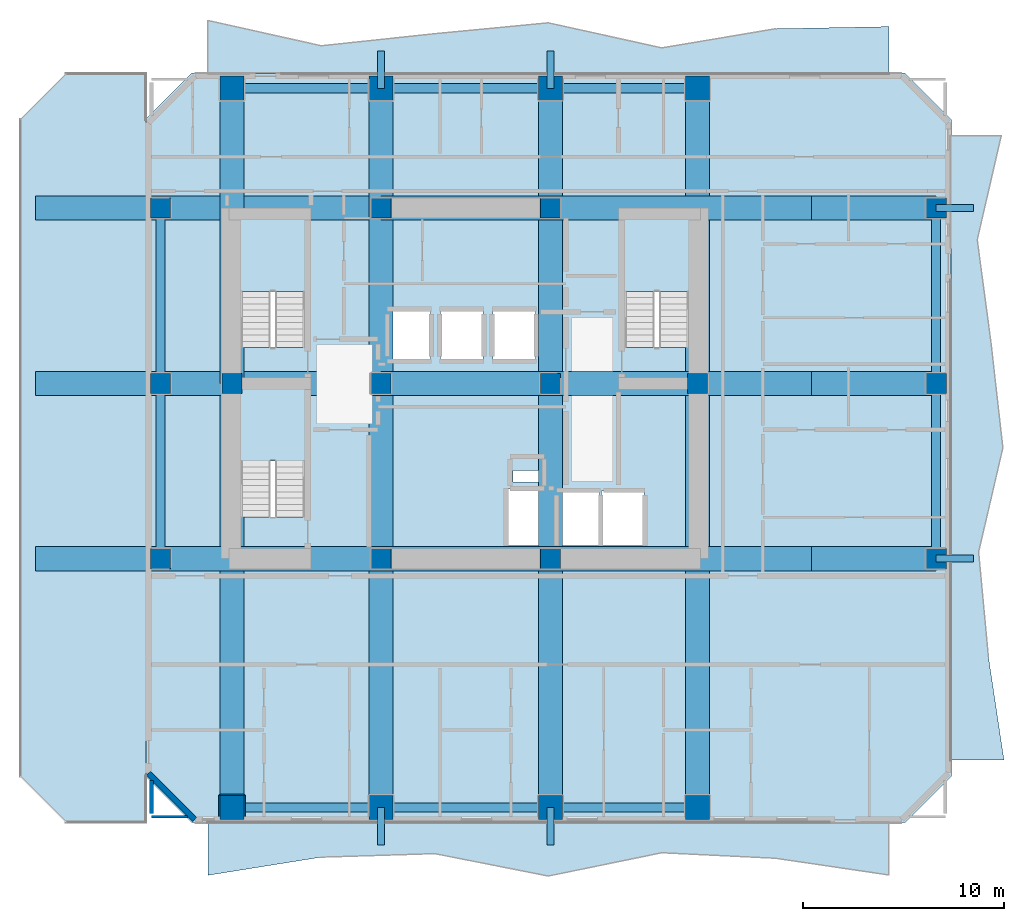
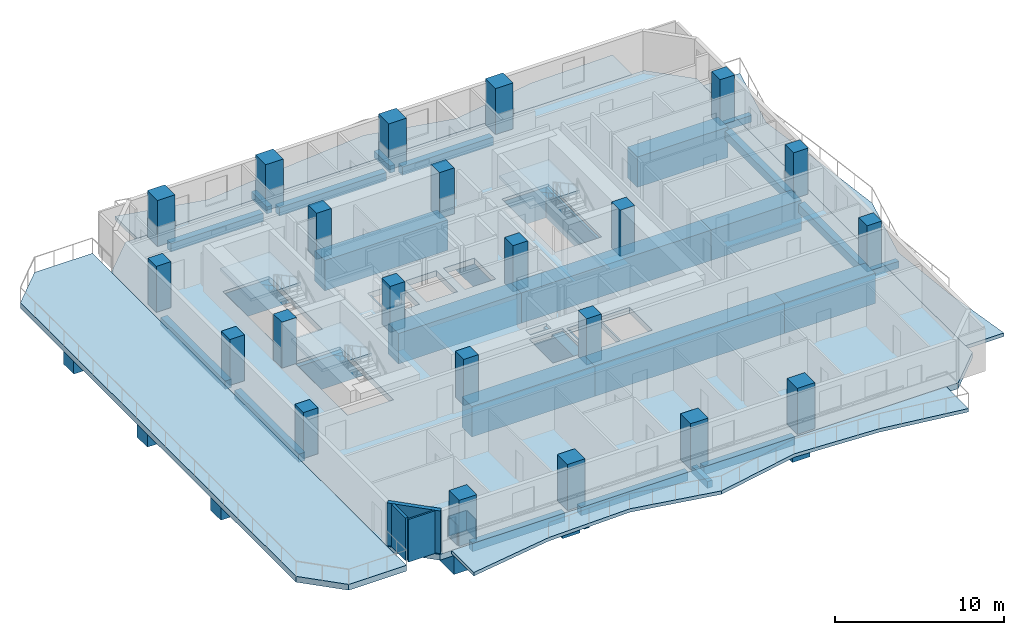
# One storey, part 1 of 10: 36 beams, 22 columns, 8 slabs, 6 walls, 3 elements without a shape of their own.
"""IFC4 building model written with IfcOpenShell, lengths in metres."""

from ifc_helpers import new_model, si_unit, direction, frame, frame_2d, origin, origin_2d, place, context, subcontext, project, spatial, polyline, rectangle, outline, extrude, material, layer, layer_set, material_profile, profile_set, type_object, element, aggregate, save


model = new_model("IFC4")

# Units and contexts
model_context = context("Model", 3, precision=1e-05, world=origin(), true_north=direction((0.0, 1.0)))
body_context = subcontext(model_context, "Body", "Model", "MODEL_VIEW")
ifc_project = project(units=[si_unit("LENGTHUNIT", "METRE"), si_unit("AREAUNIT", "SQUARE_METRE"), si_unit("VOLUMEUNIT", "CUBIC_METRE"), si_unit("PLANEANGLEUNIT", "RADIAN"), si_unit("MASSUNIT", "GRAM", prefix="KILO")], contexts=[model_context])

# Site, building, storey
site_placement = place(None, origin())
site = spatial("IfcSite", under=ifc_project, at=site_placement, CompositionType="ELEMENT")
building_placement = place(site_placement, origin())
building = spatial("IfcBuilding", under=site, at=building_placement, Name="Solanera Arch Residences", CompositionType="ELEMENT")
storey_placement = place(building_placement, frame((0.0, 0.0, 126.0)))
storey = spatial("IfcBuildingStorey", under=building, at=storey_placement, Name="L36", CompositionType="ELEMENT", Elevation=126.0)

# Columns
ifc_material_1 = material(Name="Concrete C55/67 (f'c = 60 MPa)", Category="concrete")
ifc_material_profile_1 = material_profile(ifc_material_1, rectangle(XDim=1.0, YDim=1.0, at=origin_2d()))
ifc_profile_set_1 = profile_set([ifc_material_profile_1], Name="Concrete C55/67 (f'c = 60 MPa)")
column_type_1 = type_object("IfcColumnType", Name="Structural Column RC-COL-1000X1000", PredefinedType="COLUMN", material=ifc_profile_set_1)
for number, where, z_axis, x_axis, name in (
    (1, (20.800048828125, 22.0, 0.0), (0.0, 0.0, 1.0), (1.0, 0.0, 0.0), "COL-L36-CB-SW"),
    (2, (29.199951171875, 22.0, 0.0), (0.0, 0.0, 1.0), (1.0, 0.0, 0.0), "COL-L36-CB-SE"),
    (3, (20.800048828125, 39.39990234375, 0.0), (0.0, 0.0, 1.0), (1.0, 0.0, 0.0), "COL-L36-CB-NW"),
    (4, (29.199951171875, 39.39990234375, 0.0), (0.0, 0.0, 1.0), (1.0, 0.0, 0.0), "COL-L36-CB-NE"),
    (5, (13.39990234375, 30.699951171875, 0.0), (0.0, 0.0, 1.0), (1.0, 0.0, 0.0), "COL-L36-CB-WW"),
    (6, (36.5, 30.699951171875, 0.0), (0.0, 0.0, 1.0), (1.0, 0.0, 0.0), "COL-L36-CB-EE"),
    (7, (20.800048828125, 30.699951171875, 0.0), (0.0, 0.0, 1.0), (1.0, 0.0, 0.0), "COL-L36-CORE-W"),
    (8, (29.199951171875, 30.699951171875, 0.0), (0.0, 0.0, 1.0), (1.0, 0.0, 0.0), "COL-L36-CORE-E"),
):
    element("IfcColumn", number, at=place(storey_placement, frame(where, z_axis=z_axis, x_axis=x_axis)), inside=storey, type_object=column_type_1, Name=name, PredefinedType="COLUMN", context=body_context, shape_type="SweptSolid", body=[
        extrude(rectangle(XDim=1.0, YDim=1.0, at=origin_2d()), origin(), (0.0, 0.0, 1.0), 3.320068359375),
    ])
for number, where, z_axis, x_axis, name in (
    (9, (9.85009765625, 22.0, -0.199951171875), (0.0, 0.0, 1.0), (1.0, 0.0, 0.0), "COL-L36-TWR-09"),
    (10, (48.35009765625, 22.0, -0.199951171875), (0.0, 0.0, 1.0), (1.0, 0.0, 0.0), "COL-L36-TWR-10"),
    (11, (9.85009765625, 30.699951171875, -0.199951171875), (0.0, 0.0, 1.0), (1.0, 0.0, 0.0), "COL-L36-TWR-11"),
    (12, (48.35009765625, 30.699951171875, -0.199951171875), (0.0, 0.0, 1.0), (1.0, 0.0, 0.0), "COL-L36-TWR-12"),
    (13, (9.85009765625, 39.39990234375, -0.199951171875), (0.0, 0.0, 1.0), (1.0, 0.0, 0.0), "COL-L36-TWR-13"),
    (14, (48.35009765625, 39.39990234375, -0.199951171875), (0.0, 0.0, 1.0), (1.0, 0.0, 0.0), "COL-L36-TWR-14"),
):
    element("IfcColumn", number, at=place(storey_placement, frame(where, z_axis=z_axis, x_axis=x_axis)), inside=storey, type_object=column_type_1, Name=name, PredefinedType="COLUMN", context=body_context, shape_type="SweptSolid", body=[
        extrude(rectangle(XDim=1.0, YDim=1.0, at=origin_2d()), origin(), (0.0, 0.0, 1.0), 3.52001953125),
    ])
ifc_material_2 = material(Name="Concrete C55/67 (f'c = 60 MPa)", Category="concrete")
ifc_material_profile_2 = material_profile(ifc_material_2, rectangle(XDim=1.199951171875, YDim=1.199951171875, at=origin_2d()))
ifc_profile_set_2 = profile_set([ifc_material_profile_2], Name="Concrete C55/67 (f'c = 60 MPa)")
column_type_2 = type_object("IfcColumnType", Name="Structural Column RC-COL-1200X1200", PredefinedType="COLUMN", material=ifc_profile_set_2)
for number, where, z_axis, x_axis, name in (
    (15, (13.39990234375, 9.64990234375, -0.199951171875), (0.0, 0.0, 1.0), (1.0, 0.0, 0.0), "COL-L36-TWR-01"),
    (16, (13.39990234375, 45.35009765625, -0.199951171875), (0.0, 0.0, 1.0), (1.0, 0.0, 0.0), "COL-L36-TWR-02"),
    (17, (20.800048828125, 9.64990234375, -0.199951171875), (0.0, 0.0, 1.0), (1.0, 0.0, 0.0), "COL-L36-TWR-03"),
    (18, (20.800048828125, 45.35009765625, -0.199951171875), (0.0, 0.0, 1.0), (1.0, 0.0, 0.0), "COL-L36-TWR-04"),
    (19, (29.199951171875, 9.64990234375, -0.199951171875), (0.0, 0.0, 1.0), (1.0, 0.0, 0.0), "COL-L36-TWR-05"),
    (20, (29.199951171875, 45.35009765625, -0.199951171875), (0.0, 0.0, 1.0), (1.0, 0.0, 0.0), "COL-L36-TWR-06"),
    (21, (36.5, 9.64990234375, -0.199951171875), (0.0, 0.0, 1.0), (1.0, 0.0, 0.0), "COL-L36-TWR-07"),
    (22, (36.5, 45.35009765625, -0.199951171875), (0.0, 0.0, 1.0), (1.0, 0.0, 0.0), "COL-L36-TWR-08"),
):
    element("IfcColumn", number, at=place(storey_placement, frame(where, z_axis=z_axis, x_axis=x_axis)), inside=storey, type_object=column_type_2, Name=name, PredefinedType="COLUMN", context=body_context, shape_type="SweptSolid", body=[
        extrude(rectangle(XDim=1.199951171875, YDim=1.199951171875, at=origin_2d()), origin(), (0.0, 0.0, 1.0), 3.52001953125),
    ])

# Beams
ifc_material_3 = material(Name="Concrete C40/50 (f'c = 45 MPa)", Category="concrete")
ifc_material_profile_3 = material_profile(ifc_material_3, rectangle(XDim=0.35009765625, YDim=0.5, at=origin_2d()))
ifc_profile_set_3 = profile_set([ifc_material_profile_3], Name="Concrete C40/50 (f'c = 45 MPa)")
beam_type_1 = type_object("IfcBeamType", Name="BM-BALC-RIB", PredefinedType="BEAM", material=ifc_profile_set_3)
for number, where, z_axis, x_axis, name in (
    (23, (20.800048828125, 7.800048828125, -0.5), (0.0, 1.0, 0.0), (-1.0, 0.0, 0.0), "BM-L36-BRIB-S1"),
    (24, (29.199951171875, 7.800048828125, -0.5), (0.0, 1.0, 0.0), (-1.0, 0.0, 0.0), "BM-L36-BRIB-S2"),
    (25, (20.800048828125, 45.35009765625, -0.5), (0.0, 1.0, 0.0), (-1.0, 0.0, 0.0), "BM-L36-BRIB-N1"),
    (26, (29.199951171875, 45.35009765625, -0.5), (0.0, 1.0, 0.0), (-1.0, 0.0, 0.0), "BM-L36-BRIB-N2"),
    (27, (48.35009765625, 22.0, -0.5), (1.0, 0.0, 0.0), (0.0, 1.0, 0.0), "BM-L36-BRIB-E1"),
    (28, (48.35009765625, 39.39990234375, -0.5), (1.0, 0.0, 0.0), (0.0, 1.0, 0.0), "BM-L36-BRIB-E2"),
):
    element("IfcBeam", number, at=place(storey_placement, frame(where, z_axis=z_axis, x_axis=x_axis)), inside=storey, type_object=beam_type_1, Name=name, PredefinedType="BEAM", context=body_context, shape_type="SweptSolid", body=[
        extrude(rectangle(XDim=0.35009765625, YDim=0.5, at=origin_2d()), origin(), (0.0, 0.0, 1.0), 1.849853515625),
    ])
ifc_material_4 = material(Name="Concrete C55/67 (f'c = 60 MPa)", Category="concrete")
ifc_material_profile_4 = material_profile(ifc_material_4, rectangle(XDim=1.199951171875, YDim=2.199951171875, at=origin_2d()))
ifc_profile_set_4 = profile_set([ifc_material_profile_4], Name="Concrete C55/67 (f'c = 60 MPa)")
beam_type_2 = type_object("IfcBeamType", Name="BM-CANT-BLOCK", PredefinedType="BEAM", material=ifc_profile_set_4)
for number, where, z_axis, x_axis, name in (
    (29, (42.14990234375, 22.0, -1.300048828125), (1.0, 0.0, 0.0), (0.0, 1.0, 0.0), "BM-L36-CANT-EW-E-220"),
    (30, (42.14990234375, 30.699951171875, -1.300048828125), (1.0, 0.0, 0.0), (0.0, 1.0, 0.0), "BM-L36-CANT-EW-E-307"),
    (31, (42.14990234375, 39.39990234375, -1.300048828125), (1.0, 0.0, 0.0), (0.0, 1.0, 0.0), "BM-L36-CANT-EW-E-394"),
):
    element("IfcBeam", number, at=place(storey_placement, frame(where, z_axis=z_axis, x_axis=x_axis)), inside=storey, type_object=beam_type_2, Name=name, PredefinedType="BEAM", context=body_context, shape_type="SweptSolid", body=[
        extrude(rectangle(XDim=1.199951171875, YDim=2.199951171875, at=origin_2d()), origin(), (0.0, 0.0, 1.0), 6.2001953125),
    ])
ifc_material_5 = material(Name="Concrete C40/50 (f'c = 45 MPa)", Category="concrete")
ifc_material_profile_5 = material_profile(ifc_material_5, rectangle(XDim=0.449951171875, YDim=0.60009765625, at=origin_2d()))
ifc_profile_set_5 = profile_set([ifc_material_profile_5], Name="Concrete C40/50 (f'c = 45 MPa)")
beam_type_3 = type_object("IfcBeamType", Name="Spandrel Beam RC-BM-450X600", PredefinedType="SPANDREL", material=ifc_profile_set_5)
for number, where, z_axis, x_axis, name in (
    (32, (13.93994140625, 9.64990234375, -0.719970703125), (1.0, 0.0, 0.0), (0.0, 1.0, 0.0), "BM-L36-XRING-S-1"),
    (33, (13.93994140625, 45.35009765625, -0.719970703125), (1.0, 0.0, 0.0), (0.0, 1.0, 0.0), "BM-L36-XRING-N-1"),
):
    element("IfcBeam", number, at=place(storey_placement, frame(where, z_axis=z_axis, x_axis=x_axis)), inside=storey, type_object=beam_type_3, Name=name, PredefinedType="SPANDREL", context=body_context, shape_type="SweptSolid", body=[
        extrude(rectangle(XDim=0.449951171875, YDim=0.60009765625, at=origin_2d()), origin(), (0.0, 0.0, 1.0), 6.320068359375),
    ])
for number, where, z_axis, x_axis, name in (
    (34, (21.340087890625, 9.64990234375, -0.719970703125), (1.0, 0.0, 0.0), (0.0, 1.0, 0.0), "BM-L36-XRING-S-2"),
    (35, (21.340087890625, 45.35009765625, -0.719970703125), (1.0, 0.0, 0.0), (0.0, 1.0, 0.0), "BM-L36-XRING-N-2"),
):
    element("IfcBeam", number, at=place(storey_placement, frame(where, z_axis=z_axis, x_axis=x_axis)), inside=storey, type_object=beam_type_3, Name=name, PredefinedType="SPANDREL", context=body_context, shape_type="SweptSolid", body=[
        extrude(rectangle(XDim=0.449951171875, YDim=0.60009765625, at=origin_2d()), origin(), (0.0, 0.0, 1.0), 7.31982421875),
    ])
for number, where, z_axis, x_axis, name in (
    (36, (29.739990234375, 9.64990234375, -0.719970703125), (1.0, 0.0, 0.0), (0.0, 1.0, 0.0), "BM-L36-XRING-S-3"),
    (37, (29.739990234375, 45.35009765625, -0.719970703125), (1.0, 0.0, 0.0), (0.0, 1.0, 0.0), "BM-L36-XRING-N-3"),
):
    element("IfcBeam", number, at=place(storey_placement, frame(where, z_axis=z_axis, x_axis=x_axis)), inside=storey, type_object=beam_type_3, Name=name, PredefinedType="SPANDREL", context=body_context, shape_type="SweptSolid", body=[
        extrude(rectangle(XDim=0.449951171875, YDim=0.60009765625, at=origin_2d()), origin(), (0.0, 0.0, 1.0), 6.219970703125),
    ])
for number, where, z_axis, x_axis, name in (
    (38, (9.85009765625, 22.5400390625, -0.719970703125), (0.0, 1.0, 0.0), (-1.0, 0.0, 0.0), "BM-L36-XRING-W-1"),
    (39, (48.35009765625, 22.5400390625, -0.719970703125), (0.0, 1.0, 0.0), (-1.0, 0.0, 0.0), "BM-L36-XRING-E-1"),
):
    element("IfcBeam", number, at=place(storey_placement, frame(where, z_axis=z_axis, x_axis=x_axis)), inside=storey, type_object=beam_type_3, Name=name, PredefinedType="SPANDREL", context=body_context, shape_type="SweptSolid", body=[
        extrude(rectangle(XDim=0.449951171875, YDim=0.60009765625, at=origin_2d()), origin(), (0.0, 0.0, 1.0), 7.619873046875),
    ])
for number, where, z_axis, x_axis, name in (
    (40, (9.85009765625, 31.239990234375, -0.719970703125), (0.0, 1.0, 0.0), (-1.0, 0.0, 0.0), "BM-L36-XRING-W-2"),
    (41, (48.35009765625, 31.239990234375, -0.719970703125), (0.0, 1.0, 0.0), (-1.0, 0.0, 0.0), "BM-L36-XRING-E-2"),
):
    element("IfcBeam", number, at=place(storey_placement, frame(where, z_axis=z_axis, x_axis=x_axis)), inside=storey, type_object=beam_type_3, Name=name, PredefinedType="SPANDREL", context=body_context, shape_type="SweptSolid", body=[
        extrude(rectangle(XDim=0.449951171875, YDim=0.60009765625, at=origin_2d()), origin(), (0.0, 0.0, 1.0), 7.6201171875),
    ])
ifc_material_6 = material(Name="Concrete C55/67 (f'c = 60 MPa)", Category="concrete")
ifc_material_profile_6 = material_profile(ifc_material_6, rectangle(XDim=1.199951171875, YDim=2.199951171875, at=origin_2d()))
ifc_profile_set_6 = profile_set([ifc_material_profile_6], Name="Concrete C55/67 (f'c = 60 MPa)")
beam_type_4 = type_object("IfcBeamType", Name="Transfer Girder RC-BM-1200X2200", PredefinedType="BEAM", material=ifc_profile_set_6)
beam_1_placement = place(storey_placement, frame((13.39990234375, 9.64990234375, -1.300048828125), z_axis=(0.0, 1.0, 0.0), x_axis=(-1.0, 0.0, 0.0)))
element("IfcBeam", 42, at=beam_1_placement, inside=storey, type_object=beam_type_4, Name="BM-L36-XFER-NS-S-134", PredefinedType="BEAM", context=body_context, shape_type="SweptSolid", body=[
    extrude(rectangle(XDim=1.199951171875, YDim=2.199951171875, at=origin_2d()), origin(), (0.0, 0.0, 1.0), 21.050048828125),
])
beam_2_placement = place(storey_placement, frame((13.39990234375, 30.699951171875, -1.300048828125), z_axis=(0.0, 1.0, 0.0), x_axis=(-1.0, 0.0, 0.0)))
element("IfcBeam", 43, at=beam_2_placement, inside=storey, type_object=beam_type_4, Name="BM-L36-XFER-NS-N-134", PredefinedType="BEAM", context=body_context, shape_type="SweptSolid", body=[
    extrude(rectangle(XDim=1.199951171875, YDim=2.199951171875, at=origin_2d()), origin(), (0.0, 0.0, 1.0), 14.650146484375),
])
beam_3_placement = place(storey_placement, frame((20.800048828125, 9.64990234375, -1.300048828125), z_axis=(0.0, 1.0, 0.0), x_axis=(-1.0, 0.0, 0.0)))
element("IfcBeam", 44, at=beam_3_placement, inside=storey, type_object=beam_type_4, Name="BM-L36-XFER-NS-S-208", PredefinedType="BEAM", context=body_context, shape_type="SweptSolid", body=[
    extrude(rectangle(XDim=1.199951171875, YDim=2.199951171875, at=origin_2d()), origin(), (0.0, 0.0, 1.0), 21.050048828125),
])
beam_4_placement = place(storey_placement, frame((20.800048828125, 30.699951171875, -1.300048828125), z_axis=(0.0, 1.0, 0.0), x_axis=(-1.0, 0.0, 0.0)))
element("IfcBeam", 45, at=beam_4_placement, inside=storey, type_object=beam_type_4, Name="BM-L36-XFER-NS-N-208", PredefinedType="BEAM", context=body_context, shape_type="SweptSolid", body=[
    extrude(rectangle(XDim=1.199951171875, YDim=2.199951171875, at=origin_2d()), origin(), (0.0, 0.0, 1.0), 14.650146484375),
])
beam_5_placement = place(storey_placement, frame((29.199951171875, 9.64990234375, -1.300048828125), z_axis=(0.0, 1.0, 0.0), x_axis=(-1.0, 0.0, 0.0)))
element("IfcBeam", 46, at=beam_5_placement, inside=storey, type_object=beam_type_4, Name="BM-L36-XFER-NS-S-292", PredefinedType="BEAM", context=body_context, shape_type="SweptSolid", body=[
    extrude(rectangle(XDim=1.199951171875, YDim=2.199951171875, at=origin_2d()), origin(), (0.0, 0.0, 1.0), 21.050048828125),
])
beam_6_placement = place(storey_placement, frame((29.199951171875, 30.699951171875, -1.300048828125), z_axis=(0.0, 1.0, 0.0), x_axis=(-1.0, 0.0, 0.0)))
element("IfcBeam", 47, at=beam_6_placement, inside=storey, type_object=beam_type_4, Name="BM-L36-XFER-NS-N-292", PredefinedType="BEAM", context=body_context, shape_type="SweptSolid", body=[
    extrude(rectangle(XDim=1.199951171875, YDim=2.199951171875, at=origin_2d()), origin(), (0.0, 0.0, 1.0), 14.650146484375),
])
beam_7_placement = place(storey_placement, frame((36.5, 9.64990234375, -1.300048828125), z_axis=(0.0, 1.0, 0.0), x_axis=(-1.0, 0.0, 0.0)))
element("IfcBeam", 48, at=beam_7_placement, inside=storey, type_object=beam_type_4, Name="BM-L36-XFER-NS-S-365", PredefinedType="BEAM", context=body_context, shape_type="SweptSolid", body=[
    extrude(rectangle(XDim=1.199951171875, YDim=2.199951171875, at=origin_2d()), origin(), (0.0, 0.0, 1.0), 21.050048828125),
])
beam_8_placement = place(storey_placement, frame((36.5, 30.699951171875, -1.300048828125), z_axis=(0.0, 1.0, 0.0), x_axis=(-1.0, 0.0, 0.0)))
element("IfcBeam", 49, at=beam_8_placement, inside=storey, type_object=beam_type_4, Name="BM-L36-XFER-NS-N-365", PredefinedType="BEAM", context=body_context, shape_type="SweptSolid", body=[
    extrude(rectangle(XDim=1.199951171875, YDim=2.199951171875, at=origin_2d()), origin(), (0.0, 0.0, 1.0), 14.650146484375),
])
beam_9_placement = place(storey_placement, frame((3.64990234375, 22.0, -1.300048828125), z_axis=(1.0, 0.0, 0.0), x_axis=(0.0, 1.0, 0.0)))
element("IfcBeam", 50, at=beam_9_placement, inside=storey, type_object=beam_type_4, Name="BM-L36-XFER-EW-W-220", PredefinedType="BEAM", context=body_context, shape_type="SweptSolid", body=[
    extrude(rectangle(XDim=1.199951171875, YDim=2.199951171875, at=origin_2d()), origin(), (0.0, 0.0, 1.0), 17.150146484375),
])
beam_10_placement = place(storey_placement, frame((20.800048828125, 22.0, -1.300048828125), z_axis=(1.0, 0.0, 0.0), x_axis=(0.0, 1.0, 0.0)))
element("IfcBeam", 51, at=beam_10_placement, inside=storey, type_object=beam_type_4, Name="BM-L36-XFER-EW-C-220", PredefinedType="BEAM", context=body_context, shape_type="SweptSolid", body=[
    extrude(rectangle(XDim=1.199951171875, YDim=2.199951171875, at=origin_2d()), origin(), (0.0, 0.0, 1.0), 8.39990234375),
])
beam_11_placement = place(storey_placement, frame((29.199951171875, 22.0, -1.300048828125), z_axis=(1.0, 0.0, 0.0), x_axis=(0.0, 1.0, 0.0)))
element("IfcBeam", 52, at=beam_11_placement, inside=storey, type_object=beam_type_4, Name="BM-L36-XFER-EW-E-220", PredefinedType="BEAM", context=body_context, shape_type="SweptSolid", body=[
    extrude(rectangle(XDim=1.199951171875, YDim=2.199951171875, at=origin_2d()), origin(), (0.0, 0.0, 1.0), 12.949951171875),
])
beam_12_placement = place(storey_placement, frame((3.64990234375, 30.699951171875, -1.300048828125), z_axis=(1.0, 0.0, 0.0), x_axis=(0.0, 1.0, 0.0)))
element("IfcBeam", 53, at=beam_12_placement, inside=storey, type_object=beam_type_4, Name="BM-L36-XFER-EW-W-307", PredefinedType="BEAM", context=body_context, shape_type="SweptSolid", body=[
    extrude(rectangle(XDim=1.199951171875, YDim=2.199951171875, at=origin_2d()), origin(), (0.0, 0.0, 1.0), 17.150146484375),
])
beam_13_placement = place(storey_placement, frame((20.800048828125, 30.699951171875, -1.300048828125), z_axis=(1.0, 0.0, 0.0), x_axis=(0.0, 1.0, 0.0)))
element("IfcBeam", 54, at=beam_13_placement, inside=storey, type_object=beam_type_4, Name="BM-L36-XFER-EW-C-307", PredefinedType="BEAM", context=body_context, shape_type="SweptSolid", body=[
    extrude(rectangle(XDim=1.199951171875, YDim=2.199951171875, at=origin_2d()), origin(), (0.0, 0.0, 1.0), 8.39990234375),
])
beam_14_placement = place(storey_placement, frame((29.199951171875, 30.699951171875, -1.300048828125), z_axis=(1.0, 0.0, 0.0), x_axis=(0.0, 1.0, 0.0)))
element("IfcBeam", 55, at=beam_14_placement, inside=storey, type_object=beam_type_4, Name="BM-L36-XFER-EW-E-307", PredefinedType="BEAM", context=body_context, shape_type="SweptSolid", body=[
    extrude(rectangle(XDim=1.199951171875, YDim=2.199951171875, at=origin_2d()), origin(), (0.0, 0.0, 1.0), 12.949951171875),
])
beam_15_placement = place(storey_placement, frame((3.64990234375, 39.39990234375, -1.300048828125), z_axis=(1.0, 0.0, 0.0), x_axis=(0.0, 1.0, 0.0)))
element("IfcBeam", 56, at=beam_15_placement, inside=storey, type_object=beam_type_4, Name="BM-L36-XFER-EW-W-394", PredefinedType="BEAM", context=body_context, shape_type="SweptSolid", body=[
    extrude(rectangle(XDim=1.199951171875, YDim=2.199951171875, at=origin_2d()), origin(), (0.0, 0.0, 1.0), 17.150146484375),
])
beam_16_placement = place(storey_placement, frame((20.800048828125, 39.39990234375, -1.300048828125), z_axis=(1.0, 0.0, 0.0), x_axis=(0.0, 1.0, 0.0)))
element("IfcBeam", 57, at=beam_16_placement, inside=storey, type_object=beam_type_4, Name="BM-L36-XFER-EW-C-394", PredefinedType="BEAM", context=body_context, shape_type="SweptSolid", body=[
    extrude(rectangle(XDim=1.199951171875, YDim=2.199951171875, at=origin_2d()), origin(), (0.0, 0.0, 1.0), 8.39990234375),
])
beam_17_placement = place(storey_placement, frame((29.199951171875, 39.39990234375, -1.300048828125), z_axis=(1.0, 0.0, 0.0), x_axis=(0.0, 1.0, 0.0)))
element("IfcBeam", 58, at=beam_17_placement, inside=storey, type_object=beam_type_4, Name="BM-L36-XFER-EW-E-394", PredefinedType="BEAM", context=body_context, shape_type="SweptSolid", body=[
    extrude(rectangle(XDim=1.199951171875, YDim=2.199951171875, at=origin_2d()), origin(), (0.0, 0.0, 1.0), 12.949951171875),
])

# Slabs
ifc_material_7 = material(Name="Concrete C40/50 (f'c = 45 MPa)", Category="concrete")
ifc_layer_1 = layer(ifc_material_7, 0.25)
ifc_layer_set_1 = layer_set([ifc_layer_1], Name="Concrete C40/50 (f'c = 45 MPa)")
slab_type_1 = type_object("IfcSlabType", Name="Balcony Slab 250", PredefinedType="FLOOR", material=ifc_layer_set_1)
slab_1_placement = place(storey_placement, frame((0.0, 0.0, -0.25)))
element("IfcSlab", 59, at=slab_1_placement, inside=storey, type_object=slab_type_1, Name="L36 S Rippling Brise-Soleil Balcony Slab", PredefinedType="FLOOR", context=body_context, shape_type="SweptSolid", body=[
    extrude(outline(polyline([(12.199951171875, 6.284912109375), (17.8330078125, 7.18798828125), (23.467041015625, 7.362060546875), (29.10009765625, 6.2509765625), (34.73291015625, 7.406982421875), (40.366943359375, 7.135009765625), (46.0, 6.303955078125), (46.0, 8.919921875), (12.199951171875, 8.919921875), (12.199951171875, 6.284912109375)])), origin(), (0.0, 0.0, 1.0), 0.25),
])
slab_2_placement = place(storey_placement, frame((0.0, 0.0, -0.25)))
element("IfcSlab", 60, at=slab_2_placement, inside=storey, type_object=slab_type_1, Name="L36 N Rippling Brise-Soleil Balcony Slab", PredefinedType="FLOOR", context=body_context, shape_type="SweptSolid", body=[
    extrude(outline(polyline([(46.0, 48.410888671875), (40.366943359375, 48.302978515625), (34.73291015625, 47.35400390625), (29.10009765625, 48.597900390625), (23.467041015625, 48.05908203125), (17.8330078125, 47.4599609375), (12.199951171875, 48.715087890625), (12.199951171875, 46.080078125), (46.0, 46.080078125), (46.0, 48.410888671875)])), origin(), (0.0, 0.0, 1.0), 0.25),
])
slab_3_placement = place(storey_placement, frame((0.0, 0.0, -0.25)))
element("IfcSlab", 61, at=slab_3_placement, inside=storey, type_object=slab_type_1, Name="L36 E Rippling Brise-Soleil Balcony Slab", PredefinedType="FLOOR", context=body_context, shape_type="SweptSolid", body=[
    extrude(outline(polyline([(51.715087890625, 12.0), (50.93798828125, 17.1669921875), (50.455078125, 22.3330078125), (51.658935546875, 27.5), (51.076904296875, 32.6669921875), (50.387939453125, 37.8330078125), (51.580078125, 43.0), (49.080078125, 43.0), (49.080078125, 12.0), (51.715087890625, 12.0)])), origin(), (0.0, 0.0, 1.0), 0.25),
])

# Stair, slab
ifc_material_8 = material(Name="Concrete C40/50 (f'c = 45 MPa)", Category="concrete")
stair_type = type_object("IfcStairType", Name="Tower Dogleg Exit Stair 1480", PredefinedType="HALF_TURN_STAIR", material=ifc_material_8)
stair_1_placement = place(storey_placement, origin())
stair_1 = element("IfcStair", 62, at=stair_1_placement, inside=storey, type_object=stair_type, Name="L36 Tower Core Exit Stair 1", PredefinedType="HALF_TURN_STAIR")
ifc_material_9 = material(Name="Concrete C40/50 (f'c = 45 MPa)", Category="concrete")
ifc_layer_2 = layer(ifc_material_9, 0.199951171875)
ifc_layer_set_2 = layer_set([ifc_layer_2], Name="Concrete C40/50 (f'c = 45 MPa)")
slab_type_2 = type_object("IfcSlabType", Name="Stair Half-Landing Slab 200", PredefinedType="LANDING", material=ifc_layer_set_2)
slab_4_placement = place(storey_placement, frame((0.0, 0.0, 1.4599609375)))
slab_4 = element("IfcSlab", 63, at=slab_4_placement, type_object=slab_type_2, Name="ST-T1 landing 1", PredefinedType="LANDING", context=body_context, shape_type="SweptSolid", body=[
    extrude(outline(polyline([(17.1201171875, 35.260009765625), (17.1201171875, 38.919921875), (13.719970703125, 38.919921875), (13.719970703125, 35.260009765625), (17.1201171875, 35.260009765625)])), origin(), (0.0, 0.0, 1.0), 0.199951171875),
])
aggregate(stair_1, [slab_4])

stair_2_placement = place(storey_placement, origin())
stair_2 = element("IfcStair", 64, at=stair_2_placement, inside=storey, type_object=stair_type, Name="L36 Tower Core Exit Stair 2", PredefinedType="HALF_TURN_STAIR")
slab_5_placement = place(storey_placement, frame((0.0, 0.0, 1.4599609375)))
slab_5 = element("IfcSlab", 65, at=slab_5_placement, type_object=slab_type_2, Name="ST-T2 landing 1", PredefinedType="LANDING", context=body_context, shape_type="SweptSolid", body=[
    extrude(outline(polyline([(36.179931640625, 35.260009765625), (36.179931640625, 38.919921875), (32.780029296875, 38.919921875), (32.780029296875, 35.260009765625), (36.179931640625, 35.260009765625)])), origin(), (0.0, 0.0, 1.0), 0.199951171875),
])
aggregate(stair_2, [slab_5])

stair_3_placement = place(storey_placement, origin())
stair_3 = element("IfcStair", 66, at=stair_3_placement, inside=storey, type_object=stair_type, Name="L36 Tower Core Exit Stair 3", PredefinedType="HALF_TURN_STAIR")
slab_6_placement = place(storey_placement, frame((0.0, 0.0, 1.4599609375)))
slab_6 = element("IfcSlab", 67, at=slab_6_placement, type_object=slab_type_2, Name="ST-T3 landing 1", PredefinedType="LANDING", context=body_context, shape_type="SweptSolid", body=[
    extrude(outline(polyline([(17.1201171875, 26.860107421875), (17.1201171875, 30.52001953125), (13.719970703125, 30.52001953125), (13.719970703125, 26.860107421875), (17.1201171875, 26.860107421875)])), origin(), (0.0, 0.0, 1.0), 0.199951171875),
])
aggregate(stair_3, [slab_6])

# Slabs
ifc_material_10 = material(Name="Concrete C40/50 (f'c = 45 MPa)", Category="concrete")
ifc_layer_3 = layer(ifc_material_10, 0.419921875)
ifc_layer_set_3 = layer_set([ifc_layer_3], Name="Concrete C40/50 (f'c = 45 MPa)")
slab_type_3 = type_object("IfcSlabType", Name="Suspended Floor Slab Post-Tensioned 420", PredefinedType="FLOOR", material=ifc_layer_set_3)
slab_7_placement = place(storey_placement, frame((0.0, 0.0, -0.419921875)))
element("IfcSlab", 68, at=slab_7_placement, inside=storey, type_object=slab_type_3, Name="L36 Tower Post-Tensioned Floor Slab", PredefinedType="FLOOR", context=body_context, shape_type="SweptSolid", body=[
    extrude(outline(polyline([(11.39990234375, 8.89990234375), (46.800048828125, 8.89990234375), (49.10009765625, 11.199951171875), (49.10009765625, 43.800048828125), (46.800048828125, 46.10009765625), (11.39990234375, 46.10009765625), (9.10009765625, 43.800048828125), (9.10009765625, 11.199951171875), (11.39990234375, 8.89990234375)]), holes=[polyline([(13.840087890625, 32.48291015625), (13.840087890625, 38.800048828125), (17.0, 38.800048828125), (17.0, 32.48291015625), (13.840087890625, 32.48291015625)]), polyline([(32.89990234375, 32.48291015625), (32.89990234375, 38.800048828125), (36.06005859375, 38.800048828125), (36.06005859375, 32.48291015625), (32.89990234375, 32.48291015625)]), polyline([(13.840087890625, 24.0830078125), (13.840087890625, 30.39990234375), (17.0, 30.39990234375), (17.0, 24.0830078125), (13.840087890625, 24.0830078125)]), polyline([(21.14990234375, 34.35009765625), (23.25, 34.35009765625), (23.25, 31.85009765625), (21.14990234375, 31.85009765625), (21.14990234375, 34.35009765625)]), polyline([(23.75, 34.35009765625), (25.85009765625, 34.35009765625), (25.85009765625, 31.85009765625), (23.75, 31.85009765625), (23.75, 34.35009765625)]), polyline([(26.35009765625, 34.35009765625), (28.449951171875, 34.35009765625), (28.449951171875, 31.85009765625), (26.35009765625, 31.85009765625), (26.35009765625, 34.35009765625)]), polyline([(29.550048828125, 25.35009765625), (31.64990234375, 25.35009765625), (31.64990234375, 22.64990234375), (29.550048828125, 22.64990234375), (29.550048828125, 25.35009765625)]), polyline([(31.75, 25.35009765625), (33.85009765625, 25.35009765625), (33.85009765625, 22.64990234375), (31.75, 22.64990234375), (31.75, 25.35009765625)]), polyline([(27.050048828125, 25.449951171875), (29.35009765625, 25.449951171875), (29.35009765625, 22.64990234375), (27.050048828125, 22.64990234375), (27.050048828125, 25.449951171875)]), polyline([(27.340087890625, 26.3798828125), (28.760009765625, 26.3798828125), (28.760009765625, 25.820068359375), (27.340087890625, 25.820068359375), (27.340087890625, 26.3798828125)])]), origin(), (0.0, 0.0, 1.0), 0.419921875),
])
ifc_material_11 = material(Name="Concrete C40/50 (f'c = 45 MPa)", Category="concrete")
ifc_layer_4 = layer(ifc_material_11, 0.419921875)
ifc_layer_set_4 = layer_set([ifc_layer_4], Name="Concrete C40/50 (f'c = 45 MPa)")
slab_type_4 = type_object("IfcSlabType", Name="Terrace Slab 420", PredefinedType="FLOOR", material=ifc_layer_set_4)
slab_8_placement = place(storey_placement, frame((0.0, 0.0, -0.419921875)))
element("IfcSlab", 69, at=slab_8_placement, inside=storey, type_object=slab_type_4, Name="L36 Planted Sky Terrace Slab 1", PredefinedType="FLOOR", context=body_context, shape_type="SweptSolid", body=[
    extrude(outline(polyline([(5.179931640625, 8.919921875), (9.1201171875, 8.919921875), (9.1201171875, 11.2080078125), (9.1201171875, 43.7919921875), (9.1201171875, 46.080078125), (5.179931640625, 46.080078125), (2.89990234375, 43.800048828125), (2.89990234375, 11.199951171875), (5.179931640625, 8.919921875)])), origin(), (0.0, 0.0, 1.0), 0.419921875),
])

# Walls
ifc_material_12 = material(Name="Fire-Rated Gypsum Stud Partition", Category="gypsum")
ifc_layer_5 = layer(ifc_material_12, 0.06005859375)
ifc_layer_set_5 = layer_set([ifc_layer_5], Name="Fire-Rated Gypsum Stud Partition")
wall_type_1 = type_object("IfcWallType", Name="Column Acoustic Furring Wall 60", PredefinedType="PARTITIONING", material=ifc_layer_set_5)
wall_1_placement = place(storey_placement, frame((12.800048828125, 10.281982421875, 0.0), z_axis=(0.0, 0.0, 1.0), x_axis=(1.0, 0.0, 0.0)))
element("IfcWall", 70, at=wall_1_placement, inside=storey, type_object=wall_type_1, Name="L36 Column Furring 9N", PredefinedType="PARTITIONING", context=body_context, shape_type="SweptSolid", body=[
    extrude(rectangle(XDim=1.199951171875, YDim=0.06005859375, at=frame_2d((0.60009765625, 0.0))), origin(), (0.0, 0.0, 1.0), 1.449951171875),
])
for number, where, z_axis, x_axis, name in (
    (71, (12.76806640625, 9.2099609375, 0.0), (0.0, 0.0, 1.0), (0.0, 1.0, 0.0), "L36 Column Furring 9W"),
    (72, (14.031982421875, 9.2099609375, 0.0), (0.0, 0.0, 1.0), (0.0, 1.0, 0.0), "L36 Column Furring 9E"),
):
    element("IfcWall", number, at=place(storey_placement, frame(where, z_axis=z_axis, x_axis=x_axis)), inside=storey, type_object=wall_type_1, Name=name, PredefinedType="PARTITIONING", context=body_context, shape_type="SweptSolid", body=[
        extrude(rectangle(XDim=1.0400390625, YDim=0.06005859375, at=frame_2d((0.52001953125, 0.0))), origin(), (0.0, 0.0, 1.0), 1.449951171875),
    ])
ifc_material_13 = material(Name="Autoclaved Aerated Concrete Blockwork", Category="masonry")
ifc_layer_6 = layer(ifc_material_13, 0.179931640625)
ifc_layer_set_6 = layer_set([ifc_layer_6], Name="Autoclaved Aerated Concrete Blockwork")
wall_type_2 = type_object("IfcWallType", Name="Corridor Fire Partition 180", PredefinedType="PARTITIONING", material=ifc_layer_set_6)
wall_2_placement = place(storey_placement, frame((9.39990234375, 9.35791015625, 0.0), z_axis=(0.0, 0.0, 1.0), x_axis=(0.0, 1.0, 0.0)))
element("IfcWall", 73, at=wall_2_placement, inside=storey, type_object=wall_type_2, Name="L36 Interior Partition V7 1", PredefinedType="PARTITIONING", context=body_context, shape_type="SweptSolid", body=[
    extrude(rectangle(XDim=1.63720703125, YDim=0.179931640625, at=frame_2d((0.818603515625, 0.0))), origin(), (0.0, 0.0, 1.0), 3.080078125),
])
ifc_material_14 = material(Name="Precast Concrete C35/45", Category="concrete")
ifc_layer_7 = layer(ifc_material_14, 0.280029296875)
ifc_layer_set_7 = layer_set([ifc_layer_7], Name="Precast Concrete C35/45")
wall_type_3 = type_object("IfcWallType", Name="Exterior Wall Precast Masonry-Frame 280", PredefinedType="STANDARD", material=ifc_layer_set_7)
wall_3_placement = place(storey_placement, frame((11.554931640625, 9.054931640625, 0.0), z_axis=(0.0, 0.0, 1.0), x_axis=(-0.707106781187, 0.707106781187, 0.0)))
element("IfcWall", 74, at=wall_3_placement, inside=storey, type_object=wall_type_3, Name="L36 Tower Exterior Precast Masonry-Frame Wall CH7", PredefinedType="STANDARD", context=body_context, shape_type="SweptSolid", body=[
    extrude(rectangle(XDim=3.252685546875, YDim=0.280029296875, at=frame_2d((1.62646484375, 0.0))), origin(), (0.0, 0.0, 1.0), 3.080078125),
])
ifc_material_15 = material(Name="Fire-Rated Gypsum Stud Partition", Category="gypsum")
ifc_layer_8 = layer(ifc_material_15, 0.1201171875)
ifc_layer_set_8 = layer_set([ifc_layer_8], Name="Fire-Rated Gypsum Stud Partition")
wall_type_4 = type_object("IfcWallType", Name="Unit Drywall Partition 120", PredefinedType="PARTITIONING", material=ifc_layer_set_8)
wall_4_placement = place(storey_placement, frame((9.39990234375, 9.199951171875, 0.0), z_axis=(0.0, 0.0, 1.0), x_axis=(1.0, 0.0, 0.0)))
element("IfcWall", 75, at=wall_4_placement, inside=storey, type_object=wall_type_4, Name="L36 Interior Partition H19 1", PredefinedType="PARTITIONING", context=body_context, shape_type="SweptSolid", body=[
    extrude(rectangle(XDim=1.795166015625, YDim=0.1201171875, at=frame_2d((0.8974609375, 0.0))), origin(), (0.0, 0.0, 1.0), 3.080078125),
])

save(model, "model.ifc")
